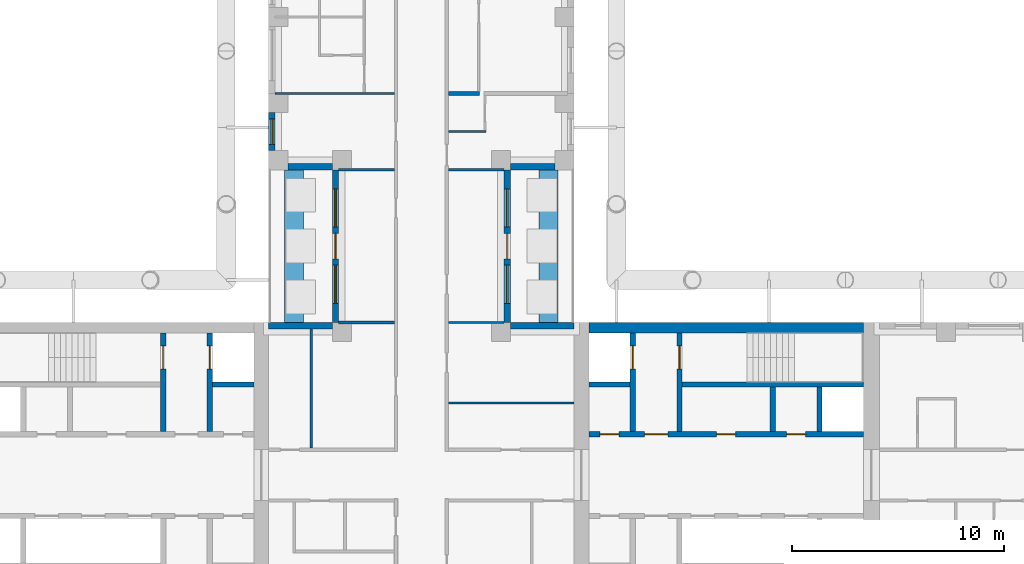
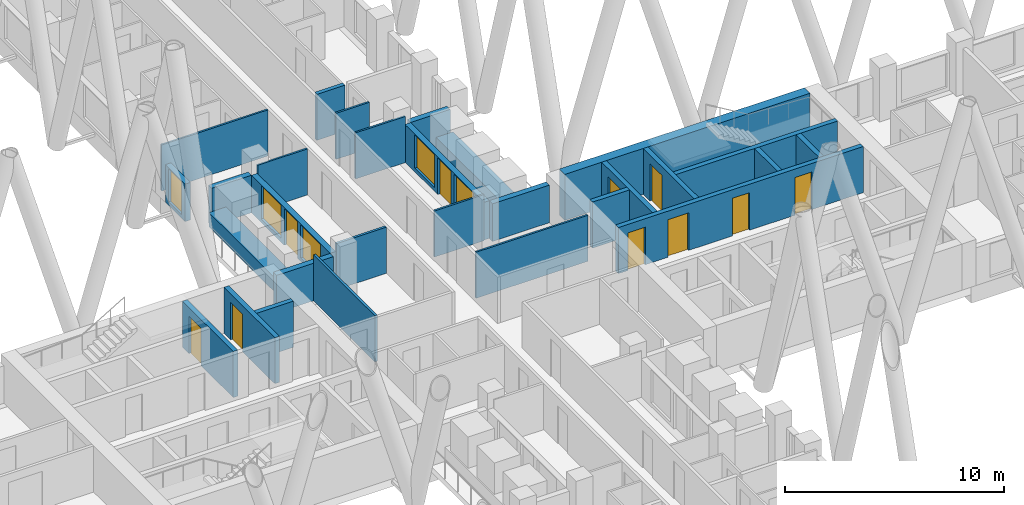
# One storey, part 9 of 17: 29 walls, 10 doors, 5 windows, 15 openings.
"""IFC4 building model written with IfcOpenShell, lengths in metres."""

from ifc_helpers import new_model, si_unit, direction, frame, frame_2d, origin, place, context, subcontext, project, spatial, rectangle, extrude, material, layer, layer_set, type_object, element, fill, save


model = new_model("IFC4")

# Units and contexts
model_context = context("Model", 3, precision=1e-05, world=origin(), true_north=direction((0.0, 1.0)))
body_context = subcontext(model_context, "Body", "Model", "MODEL_VIEW")
ifc_project = project(units=[si_unit("LENGTHUNIT", "METRE"), si_unit("AREAUNIT", "SQUARE_METRE"), si_unit("VOLUMEUNIT", "CUBIC_METRE"), si_unit("PLANEANGLEUNIT", "RADIAN"), si_unit("MASSUNIT", "GRAM", prefix="KILO")], contexts=[model_context])

# Site, building, storey
site_placement = place(None, origin())
site = spatial("IfcSite", under=ifc_project, at=site_placement, CompositionType="ELEMENT")
building_placement = place(site_placement, origin())
building = spatial("IfcBuilding", under=site, at=building_placement, Name="Fustian Cross Tower", CompositionType="ELEMENT")
storey_placement = place(building_placement, frame((0.0, 0.0, 32.699951171875)))
storey = spatial("IfcBuildingStorey", under=building, at=storey_placement, Name="L09", CompositionType="ELEMENT", Elevation=32.699951171875)

# Wall
ifc_material_1 = material(Name="Concrete C80/95", Category="concrete")
ifc_layer_1 = layer(ifc_material_1, 0.5)
ifc_layer_set_1 = layer_set([ifc_layer_1], Name="Concrete C80/95")
wall_type_1 = type_object("IfcWallType", Name="CORE FACADE WALL 500 C80/95", PredefinedType="SHEAR", material=ifc_layer_set_1)
wall_1_placement = place(storey_placement, frame((7.89990234375, 6.949951171875, 0.0), z_axis=(0.0, 0.0, 1.0), x_axis=(1.0, 0.0, 0.0)))
element("IfcWall", 1, at=wall_1_placement, inside=storey, type_object=wall_type_1, Name="Core facade wall", PredefinedType="SHEAR", context=body_context, shape_type="SweptSolid", body=[
    extrude(rectangle(XDim=12.9501953125, YDim=0.5, at=frame_2d((6.47509765625, 0.0))), origin(), (0.0, 0.0, 1.0), 2.574951171875),
])

# Wall, openings, doors
ifc_material_2 = material(Name="Concrete C50/60", Category="concrete")
ifc_layer_2 = layer(ifc_material_2, 0.25)
ifc_layer_set_2 = layer_set([ifc_layer_2], Name="Concrete C50/60")
wall_type_2 = type_object("IfcWallType", Name="CORE LOBBY WALL 250 C50/60", PredefinedType="SHEAR", material=ifc_layer_set_2)
wall_2_placement = place(storey_placement, frame((7.89990234375, 1.925048828125, 0.0), z_axis=(0.0, 0.0, 1.0), x_axis=(1.0, 0.0, 0.0)))
wall_2 = element("IfcWall", 2, at=wall_2_placement, inside=storey, type_object=wall_type_2, Name="Core lobby wall", PredefinedType="SHEAR", context=body_context, shape_type="SweptSolid", body=[
    extrude(rectangle(XDim=12.9501953125, YDim=0.25, at=frame_2d((6.47509765625, 0.0))), origin(), (0.0, 0.0, 1.0), 2.574951171875),
])
opening_1_placement = place(wall_2_placement, frame((0.52490234375, 0.0, 0.0)))
opening_1 = element("IfcOpeningElement", 3, at=opening_1_placement, cuts=wall_2, Name="Opening CD-06-08", PredefinedType="OPENING", context=body_context, shape_type="SweptSolid", body=[
    extrude(rectangle(XDim=0.89990234375, YDim=2.10009765625, at=frame_2d((0.449951171875, 1.050048828125))), frame((0.0, 0.135009765625, 0.0), z_axis=(0.0, -1.0, 0.0), x_axis=(1.0, 0.0, 0.0)), (0.0, 0.0, 1.0), 0.27001953125),
])
opening_2_placement = place(wall_2_placement, frame((2.625, 0.0, 0.0)))
opening_2 = element("IfcOpeningElement", 4, at=opening_2_placement, cuts=wall_2, Name="Opening CD-06-10", PredefinedType="OPENING", context=body_context, shape_type="SweptSolid", body=[
    extrude(rectangle(XDim=1.10009765625, YDim=2.10009765625, at=frame_2d((0.550048828125, 1.050048828125))), frame((0.0, 0.135009765625, 0.0), z_axis=(0.0, -1.0, 0.0), x_axis=(1.0, 0.0, 0.0)), (0.0, 0.0, 1.0), 0.27001953125),
])
opening_3_placement = place(wall_2_placement, frame((6.02490234375, 0.0, 0.0)))
opening_3 = element("IfcOpeningElement", 5, at=opening_3_placement, cuts=wall_2, Name="Opening CD-06-14", PredefinedType="OPENING", context=body_context, shape_type="SweptSolid", body=[
    extrude(rectangle(XDim=0.89990234375, YDim=2.10009765625, at=frame_2d((0.449951171875, 1.050048828125))), frame((0.0, 0.135009765625, 0.0), z_axis=(0.0, -1.0, 0.0), x_axis=(1.0, 0.0, 0.0)), (0.0, 0.0, 1.0), 0.27001953125),
])
opening_4_placement = place(wall_2_placement, frame((9.324951171875, 0.0, 0.0)))
opening_4 = element("IfcOpeningElement", 6, at=opening_4_placement, cuts=wall_2, Name="Opening CD-06-15", PredefinedType="OPENING", context=body_context, shape_type="SweptSolid", body=[
    extrude(rectangle(XDim=0.89990234375, YDim=2.10009765625, at=frame_2d((0.449951171875, 1.050048828125))), frame((0.0, 0.135009765625, 0.0), z_axis=(0.0, -1.0, 0.0), x_axis=(1.0, 0.0, 0.0)), (0.0, 0.0, 1.0), 0.27001953125),
])
ifc_material_3 = material(Name="Steel", Category="steel")
door_type_1 = type_object("IfcDoorType", Name="FIRE DOOR FD30S 900X2100", OperationType="SINGLE_SWING_LEFT", PredefinedType="DOOR", material=ifc_material_3)
door_1_placement = place(opening_3_placement, origin())
door_1 = element("IfcDoor", 7, at=door_1_placement, inside=storey, type_object=door_type_1, Name="Core door CD-06-14", OperationType="SINGLE_SWING_RIGHT", OverallHeight=2.10009765625, OverallWidth=0.89990234375, PredefinedType="DOOR", context=body_context, shape_type="SweptSolid", body=[
    extrude(rectangle(XDim=0.89990234375, YDim=2.10009765625, at=frame_2d((0.449951171875, 1.050048828125))), frame((0.0, 0.02490234375, 0.0), z_axis=(0.0, -1.0, 0.0), x_axis=(1.0, 0.0, 0.0)), (0.0, 0.0, 1.0), 0.050048828125),
])
fill(opening_3, door_1)
door_2_placement = place(opening_4_placement, origin())
door_2 = element("IfcDoor", 8, at=door_2_placement, inside=storey, type_object=door_type_1, Name="Core door CD-06-15", OperationType="SINGLE_SWING_LEFT", OverallHeight=2.10009765625, OverallWidth=0.89990234375, PredefinedType="DOOR", context=body_context, shape_type="SweptSolid", body=[
    extrude(rectangle(XDim=0.89990234375, YDim=2.10009765625, at=frame_2d((0.449951171875, 1.050048828125))), frame((0.0, 0.02490234375, 0.0), z_axis=(0.0, -1.0, 0.0), x_axis=(1.0, 0.0, 0.0)), (0.0, 0.0, 1.0), 0.050048828125),
])
fill(opening_4, door_2)
ifc_material_4 = material(Name="Steel", Category="steel")
door_type_2 = type_object("IfcDoorType", Name="FIRE DOOR FD60S 1100X2100", OperationType="SINGLE_SWING_LEFT", PredefinedType="DOOR", material=ifc_material_4)
door_3_placement = place(opening_2_placement, frame((1.10009765625, 0.0, 0.0), z_axis=(0.0, 0.0, 1.0), x_axis=(-1.0, 0.0, 0.0)))
door_3 = element("IfcDoor", 9, at=door_3_placement, inside=storey, type_object=door_type_2, Name="Core door CD-06-10", OperationType="SINGLE_SWING_RIGHT", OverallHeight=2.10009765625, OverallWidth=1.10009765625, PredefinedType="DOOR", context=body_context, shape_type="SweptSolid", body=[
    extrude(rectangle(XDim=1.10009765625, YDim=2.10009765625, at=frame_2d((0.550048828125, 1.050048828125))), frame((0.0, 0.02490234375, 0.0), z_axis=(0.0, -1.0, 0.0), x_axis=(1.0, 0.0, 0.0)), (0.0, 0.0, 1.0), 0.050048828125),
])
fill(opening_2, door_3)
ifc_material_5 = material(Name="Steel", Category="steel")
door_type_3 = type_object("IfcDoorType", Name="FIRE DOOR FD60S 900X2100", OperationType="SINGLE_SWING_LEFT", PredefinedType="DOOR", material=ifc_material_5)
door_4_placement = place(opening_1_placement, origin())
door_4 = element("IfcDoor", 10, at=door_4_placement, inside=storey, type_object=door_type_3, Name="Core door CD-06-08", OperationType="SINGLE_SWING_LEFT", OverallHeight=2.10009765625, OverallWidth=0.89990234375, PredefinedType="DOOR", context=body_context, shape_type="SweptSolid", body=[
    extrude(rectangle(XDim=0.89990234375, YDim=2.10009765625, at=frame_2d((0.449951171875, 1.050048828125))), frame((0.0, 0.02490234375, 0.0), z_axis=(0.0, -1.0, 0.0), x_axis=(1.0, 0.0, 0.0)), (0.0, 0.0, 1.0), 0.050048828125),
])
fill(opening_1, door_4)

# Walls
ifc_material_6 = material(Name="Concrete C50/60", Category="concrete")
ifc_layer_3 = layer(ifc_material_6, 0.25)
ifc_layer_set_3 = layer_set([ifc_layer_3], Name="Concrete C50/60")
wall_type_3 = type_object("IfcWallType", Name="CORE SHAFT WALL 250 C50/60", PredefinedType="SHEAR", material=ifc_layer_set_3)
wall_3_placement = place(storey_placement, frame((7.89990234375, 4.27490234375, 0.0), z_axis=(0.0, 0.0, 1.0), x_axis=(1.0, 0.0, 0.0)))
element("IfcWall", 11, at=wall_3_placement, inside=storey, type_object=wall_type_3, Name="Core shaft wall", PredefinedType="SHEAR", context=body_context, shape_type="SweptSolid", body=[
    extrude(rectangle(XDim=1.9501953125, YDim=0.25, at=frame_2d((0.97509765625, 0.0))), origin(), (0.0, 0.0, 1.0), 2.574951171875),
])
wall_4_placement = place(storey_placement, frame((12.300048828125, 4.27490234375, 0.0), z_axis=(0.0, 0.0, 1.0), x_axis=(1.0, 0.0, 0.0)))
element("IfcWall", 12, at=wall_4_placement, inside=storey, type_object=wall_type_3, Name="Core shaft wall", PredefinedType="SHEAR", context=body_context, shape_type="SweptSolid", body=[
    extrude(rectangle(XDim=8.550048828125, YDim=0.25, at=frame_2d((4.27490234375, 0.0))), origin(), (0.0, 0.0, 1.0), 2.574951171875),
])

# Wall, opening, door
wall_5_placement = place(storey_placement, frame((9.97509765625, 2.050048828125, 0.0), z_axis=(0.0, 0.0, 1.0), x_axis=(0.0, 1.0, 0.0)))
wall_5 = element("IfcWall", 13, at=wall_5_placement, inside=storey, type_object=wall_type_3, Name="Core shaft wall", PredefinedType="SHEAR", context=body_context, shape_type="SweptSolid", body=[
    extrude(rectangle(XDim=4.64990234375, YDim=0.25, at=frame_2d((2.324951171875, 0.0))), origin(), (0.0, 0.0, 1.0), 2.574951171875),
])
opening_5_placement = place(wall_5_placement, frame((2.949951171875, 0.0, 0.0)))
opening_5 = element("IfcOpeningElement", 14, at=opening_5_placement, cuts=wall_5, Name="Opening LD", PredefinedType="OPENING", context=body_context, shape_type="SweptSolid", body=[
    extrude(rectangle(XDim=1.10009765625, YDim=2.10009765625, at=frame_2d((0.550048828125, 1.050048828125))), frame((0.0, 0.135009765625, 0.0), z_axis=(0.0, -1.0, 0.0), x_axis=(1.0, 0.0, 0.0)), (0.0, 0.0, 1.0), 0.27001953125),
])
ifc_material_7 = material(Name="Stainless steel", Category="steel")
door_type_4 = type_object("IfcDoorType", Name="LIFT LANDING DOOR 1100X2100", OperationType="SLIDING_TO_LEFT", PredefinedType="DOOR", material=ifc_material_7)
door_5_placement = place(opening_5_placement, origin())
door_5 = element("IfcDoor", 15, at=door_5_placement, inside=storey, type_object=door_type_4, Name="Landing door FL1", OperationType="SLIDING_TO_LEFT", OverallHeight=2.10009765625, OverallWidth=1.10009765625, PredefinedType="DOOR", context=body_context, shape_type="SweptSolid", body=[
    extrude(rectangle(XDim=1.10009765625, YDim=2.10009765625, at=frame_2d((0.550048828125, 1.050048828125))), frame((0.0, 0.02490234375, 0.0), z_axis=(0.0, -1.0, 0.0), x_axis=(1.0, 0.0, 0.0)), (0.0, 0.0, 1.0), 0.050048828125),
])
fill(opening_5, door_5)

wall_6_placement = place(storey_placement, frame((12.175048828125, 2.050048828125, 0.0), z_axis=(0.0, 0.0, 1.0), x_axis=(0.0, 1.0, 0.0)))
wall_6 = element("IfcWall", 16, at=wall_6_placement, inside=storey, type_object=wall_type_3, Name="Core shaft wall", PredefinedType="SHEAR", context=body_context, shape_type="SweptSolid", body=[
    extrude(rectangle(XDim=4.64990234375, YDim=0.25, at=frame_2d((2.324951171875, 0.0))), origin(), (0.0, 0.0, 1.0), 2.574951171875),
])
opening_6_placement = place(wall_6_placement, frame((2.949951171875, 0.0, 0.0)))
opening_6 = element("IfcOpeningElement", 17, at=opening_6_placement, cuts=wall_6, Name="Opening CD-06-06", PredefinedType="OPENING", context=body_context, shape_type="SweptSolid", body=[
    extrude(rectangle(XDim=1.10009765625, YDim=2.10009765625, at=frame_2d((0.550048828125, 1.050048828125))), frame((0.0, 0.135009765625, 0.0), z_axis=(0.0, -1.0, 0.0), x_axis=(1.0, 0.0, 0.0)), (0.0, 0.0, 1.0), 0.27001953125),
])
door_6_placement = place(opening_6_placement, frame((1.10009765625, 0.0, 0.0), z_axis=(0.0, 0.0, 1.0), x_axis=(-1.0, 0.0, 0.0)))
door_6 = element("IfcDoor", 18, at=door_6_placement, inside=storey, type_object=door_type_2, Name="Core door CD-06-06", OperationType="SINGLE_SWING_RIGHT", OverallHeight=2.10009765625, OverallWidth=1.10009765625, PredefinedType="DOOR", context=body_context, shape_type="SweptSolid", body=[
    extrude(rectangle(XDim=1.10009765625, YDim=2.10009765625, at=frame_2d((0.550048828125, 1.050048828125))), frame((0.0, 0.02490234375, 0.0), z_axis=(0.0, -1.0, 0.0), x_axis=(1.0, 0.0, 0.0)), (0.0, 0.0, 1.0), 0.050048828125),
])
fill(opening_6, door_6)

# Wall
wall_7_placement = place(storey_placement, frame((-7.89990234375, 4.27490234375, 0.0), z_axis=(0.0, 0.0, 1.0), x_axis=(-1.0, 0.0, 0.0)))
element("IfcWall", 19, at=wall_7_placement, inside=storey, type_object=wall_type_3, Name="Core shaft wall", PredefinedType="SHEAR", context=body_context, shape_type="SweptSolid", body=[
    extrude(rectangle(XDim=1.9501953125, YDim=0.25, at=frame_2d((0.97509765625, 0.0))), origin(), (0.0, 0.0, 1.0), 2.574951171875),
])

# Wall, opening, door
wall_8_placement = place(storey_placement, frame((-9.97509765625, 2.050048828125, 0.0), z_axis=(0.0, 0.0, 1.0), x_axis=(0.0, 1.0, 0.0)))
wall_8 = element("IfcWall", 20, at=wall_8_placement, inside=storey, type_object=wall_type_3, Name="Core shaft wall", PredefinedType="SHEAR", context=body_context, shape_type="SweptSolid", body=[
    extrude(rectangle(XDim=4.64990234375, YDim=0.25, at=frame_2d((2.324951171875, 0.0))), origin(), (0.0, 0.0, 1.0), 2.574951171875),
])
opening_7_placement = place(wall_8_placement, frame((2.949951171875, 0.0, 0.0)))
opening_7 = element("IfcOpeningElement", 21, at=opening_7_placement, cuts=wall_8, Name="Opening LD", PredefinedType="OPENING", context=body_context, shape_type="SweptSolid", body=[
    extrude(rectangle(XDim=1.10009765625, YDim=2.10009765625, at=frame_2d((0.550048828125, 1.050048828125))), frame((0.0, 0.135009765625, 0.0), z_axis=(0.0, -1.0, 0.0), x_axis=(1.0, 0.0, 0.0)), (0.0, 0.0, 1.0), 0.27001953125),
])
door_7_placement = place(opening_7_placement, origin())
door_7 = element("IfcDoor", 22, at=door_7_placement, inside=storey, type_object=door_type_4, Name="Landing door FL1W", OperationType="SLIDING_TO_LEFT", OverallHeight=2.10009765625, OverallWidth=1.10009765625, PredefinedType="DOOR", context=body_context, shape_type="SweptSolid", body=[
    extrude(rectangle(XDim=1.10009765625, YDim=2.10009765625, at=frame_2d((0.550048828125, 1.050048828125))), frame((0.0, 0.02490234375, 0.0), z_axis=(0.0, -1.0, 0.0), x_axis=(1.0, 0.0, 0.0)), (0.0, 0.0, 1.0), 0.050048828125),
])
fill(opening_7, door_7)

wall_9_placement = place(storey_placement, frame((-12.175048828125, 2.050048828125, 0.0), z_axis=(0.0, 0.0, 1.0), x_axis=(0.0, 1.0, 0.0)))
wall_9 = element("IfcWall", 23, at=wall_9_placement, inside=storey, type_object=wall_type_3, Name="Core shaft wall", PredefinedType="SHEAR", context=body_context, shape_type="SweptSolid", body=[
    extrude(rectangle(XDim=4.64990234375, YDim=0.25, at=frame_2d((2.324951171875, 0.0))), origin(), (0.0, 0.0, 1.0), 2.574951171875),
])
opening_8_placement = place(wall_9_placement, frame((2.949951171875, 0.0, 0.0)))
opening_8 = element("IfcOpeningElement", 24, at=opening_8_placement, cuts=wall_9, Name="Opening CD-06-21", PredefinedType="OPENING", context=body_context, shape_type="SweptSolid", body=[
    extrude(rectangle(XDim=1.10009765625, YDim=2.10009765625, at=frame_2d((0.550048828125, 1.050048828125))), frame((0.0, 0.135009765625, 0.0), z_axis=(0.0, -1.0, 0.0), x_axis=(1.0, 0.0, 0.0)), (0.0, 0.0, 1.0), 0.27001953125),
])
door_8_placement = place(opening_8_placement, origin())
door_8 = element("IfcDoor", 25, at=door_8_placement, inside=storey, type_object=door_type_2, Name="Core door CD-06-21", OperationType="SINGLE_SWING_LEFT", OverallHeight=2.10009765625, OverallWidth=1.10009765625, PredefinedType="DOOR", context=body_context, shape_type="SweptSolid", body=[
    extrude(rectangle(XDim=1.10009765625, YDim=2.10009765625, at=frame_2d((0.550048828125, 1.050048828125))), frame((0.0, 0.02490234375, 0.0), z_axis=(0.0, -1.0, 0.0), x_axis=(1.0, 0.0, 0.0)), (0.0, 0.0, 1.0), 0.050048828125),
])
fill(opening_8, door_8)

# Walls
ifc_material_8 = material(Name="Plasterboard on steel stud", Category="steel")
ifc_layer_4 = layer(ifc_material_8, 0.10009765625)
ifc_layer_set_4 = layer_set([ifc_layer_4], Name="Plasterboard on steel stud")
wall_type_4 = type_object("IfcWallType", Name="PARTITION 100 STUD", PredefinedType="PARTITIONING", material=ifc_layer_set_4)
wall_10_placement = place(storey_placement, frame((-6.89990234375, 18.0, 0.0), z_axis=(0.0, 0.0, 1.0), x_axis=(1.0, 0.0, 0.0)))
element("IfcWall", 26, at=wall_10_placement, inside=storey, type_object=wall_type_4, Name="Partition 14", PredefinedType="PARTITIONING", context=body_context, shape_type="SweptSolid", body=[
    extrude(rectangle(XDim=5.625, YDim=0.10009765625, at=frame_2d((2.8125, 0.0))), origin(), (0.0, 0.0, 1.0), 2.574951171875),
])
wall_11_placement = place(storey_placement, frame((-3.89990234375, 14.39990234375, 0.0), z_axis=(0.0, 0.0, 1.0), x_axis=(1.0, 0.0, 0.0)))
element("IfcWall", 27, at=wall_11_placement, inside=storey, type_object=wall_type_4, Name="Partition 38", PredefinedType="PARTITIONING", context=body_context, shape_type="SweptSolid", body=[
    extrude(rectangle(XDim=2.625, YDim=0.10009765625, at=frame_2d((1.3125, 0.0))), origin(), (0.0, 0.0, 1.0), 2.574951171875),
])
wall_12_placement = place(storey_placement, frame((1.27490234375, 3.39990234375, 0.0), z_axis=(0.0, 0.0, 1.0), x_axis=(1.0, 0.0, 0.0)))
element("IfcWall", 28, at=wall_12_placement, inside=storey, type_object=wall_type_4, Name="Partition 56", PredefinedType="PARTITIONING", context=body_context, shape_type="SweptSolid", body=[
    extrude(rectangle(XDim=5.925048828125, YDim=0.10009765625, at=frame_2d((2.96240234375, 0.0))), origin(), (0.0, 0.0, 1.0), 2.574951171875),
])
for number, where, z_axis, x_axis, name in (
    (29, (1.27490234375, 7.199951171875, 0.0), (0.0, 0.0, 1.0), (1.0, 0.0, 0.0), "Partition 57"),
    (30, (1.27490234375, 14.39990234375, 0.0), (0.0, 0.0, 1.0), (1.0, 0.0, 0.0), "Partition 58"),
):
    element("IfcWall", number, at=place(storey_placement, frame(where, z_axis=z_axis, x_axis=x_axis)), inside=storey, type_object=wall_type_4, Name=name, PredefinedType="PARTITIONING", context=body_context, shape_type="SweptSolid", body=[
        extrude(rectangle(XDim=2.625, YDim=0.10009765625, at=frame_2d((1.3125, 0.0))), origin(), (0.0, 0.0, 1.0), 2.574951171875),
    ])
wall_13_placement = place(storey_placement, frame((1.27490234375, 16.199951171875, 0.0), z_axis=(0.0, 0.0, 1.0), x_axis=(1.0, 0.0, 0.0)))
element("IfcWall", 31, at=wall_13_placement, inside=storey, type_object=wall_type_4, Name="Partition 59", PredefinedType="PARTITIONING", context=body_context, shape_type="SweptSolid", body=[
    extrude(rectangle(XDim=1.775146484375, YDim=0.10009765625, at=frame_2d((0.8876953125, 0.0))), origin(), (0.0, 0.0, 1.0), 2.574951171875),
])
ifc_material_9 = material(Name="Plasterboard on steel stud", Category="steel")
ifc_layer_5 = layer(ifc_material_9, 0.199951171875)
ifc_layer_set_5 = layer_set([ifc_layer_5], Name="Plasterboard on steel stud")
wall_type_5 = type_object("IfcWallType", Name="PARTY WALL 200 EI 60", PredefinedType="PARTITIONING", material=ifc_layer_set_5)
wall_14_placement = place(storey_placement, frame((1.27490234375, 18.0, 0.0), z_axis=(0.0, 0.0, 1.0), x_axis=(1.0, 0.0, 0.0)))
element("IfcWall", 32, at=wall_14_placement, inside=storey, type_object=wall_type_5, Name="Partition 60", PredefinedType="PARTITIONING", context=body_context, shape_type="SweptSolid", body=[
    extrude(rectangle(XDim=1.47509765625, YDim=0.199951171875, at=frame_2d((0.737548828125, 0.0))), origin(), (0.0, 0.0, 1.0), 2.574951171875),
])
ifc_material_10 = material(Name="Concrete C40/50", Category="concrete")
ifc_layer_6 = layer(ifc_material_10, 0.89990234375)
ifc_layer_set_6 = layer_set([ifc_layer_6], Name="Concrete C40/50")
wall_type_6 = type_object("IfcWallType", Name="PK1 PLANTER 900", PredefinedType="PARAPET", material=ifc_layer_set_6)
for number, where, z_axis, x_axis, name in (
    (33, (6.0, 7.199951171875, 0.0), (0.0, 0.0, 1.0), (0.0, 1.0, 0.0), "PLANTER"),
    (34, (-6.0, 7.199951171875, 0.0), (0.0, 0.0, 1.0), (0.0, 1.0, 0.0), "PLANTER"),
):
    element("IfcWall", number, at=place(storey_placement, frame(where, z_axis=z_axis, x_axis=x_axis)), inside=storey, type_object=wall_type_6, Name=name, PredefinedType="PARAPET", context=body_context, shape_type="SweptSolid", body=[
        extrude(rectangle(XDim=7.199951171875, YDim=0.89990234375, at=frame_2d((3.60009765625, 0.0))), origin(), (0.0, 0.0, 1.0), 0.800048828125),
    ])
ifc_material_11 = material(Name="Concrete C40/50", Category="concrete")
ifc_layer_7 = layer(ifc_material_11, 0.25)
ifc_layer_set_7 = layer_set([ifc_layer_7], Name="Concrete C40/50")
wall_type_7 = type_object("IfcWallType", Name="SHAFT PARTITION WALL 250 C40/50", PredefinedType="PARTITIONING", material=ifc_layer_set_7)
for number, where, z_axis, x_axis, name in (
    (35, (16.574951171875, 2.050048828125, 0.0), (0.0, 0.0, 1.0), (0.0, 1.0, 0.0), "Core shaft wall"),
    (36, (18.77490234375, 2.050048828125, 0.0), (0.0, 0.0, 1.0), (0.0, 1.0, 0.0), "Core shaft wall"),
):
    element("IfcWall", number, at=place(storey_placement, frame(where, z_axis=z_axis, x_axis=x_axis)), inside=storey, type_object=wall_type_7, Name=name, PredefinedType="PARTITIONING", context=body_context, shape_type="SweptSolid", body=[
        extrude(rectangle(XDim=2.099853515625, YDim=0.25, at=frame_2d((1.0498046875, 0.0))), origin(), (0.0, 0.0, 1.0), 2.574951171875),
    ])
ifc_material_12 = material(Name="Plasterboard on steel stud", Category="steel")
ifc_layer_8 = layer(ifc_material_12, 0.125)
ifc_layer_set_8 = layer_set([ifc_layer_8], Name="Plasterboard on steel stud")
wall_type_8 = type_object("IfcWallType", Name="WET WALL 125 STUD", PredefinedType="PARTITIONING", material=ifc_layer_set_8)
wall_15_placement = place(storey_placement, frame((-5.199951171875, 1.27490234375, 0.0), z_axis=(0.0, 0.0, 1.0), x_axis=(0.0, 1.0, 0.0)))
element("IfcWall", 37, at=wall_15_placement, inside=storey, type_object=wall_type_8, Name="Partition 23", PredefinedType="PARTITIONING", context=body_context, shape_type="SweptSolid", body=[
    extrude(rectangle(XDim=5.625, YDim=0.125, at=frame_2d((2.8125, 0.0))), origin(), (0.0, 0.0, 1.0), 2.574951171875),
])
wall_16_placement = place(storey_placement, frame((-3.89990234375, 7.199951171875, 0.0), z_axis=(0.0, 0.0, 1.0), x_axis=(1.0, 0.0, 0.0)))
element("IfcWall", 38, at=wall_16_placement, inside=storey, type_object=wall_type_8, Name="Partition 37", PredefinedType="PARTITIONING", context=body_context, shape_type="SweptSolid", body=[
    extrude(rectangle(XDim=2.625, YDim=0.125, at=frame_2d((1.3125, 0.0))), origin(), (0.0, 0.0, 1.0), 2.574951171875),
])
ifc_material_13 = material(Name="Dark aluminium cladding on insulated backing wall", Category="aluminium")
ifc_layer_9 = layer(ifc_material_13, 0.300048828125)
ifc_layer_set_9 = layer_set([ifc_layer_9], Name="Dark aluminium cladding on insulated backing wall")
wall_type_9 = type_object("IfcWallType", Name="XW1 EXTERNAL WALL 300", PredefinedType="SOLIDWALL", material=ifc_layer_set_9)
wall_17_placement = place(storey_placement, frame((7.199951171875, 7.050048828125, 0.0), z_axis=(0.0, 0.0, 1.0), x_axis=(-1.0, 0.0, 0.0)))
element("IfcWall", 39, at=wall_17_placement, inside=storey, type_object=wall_type_9, Name="External wall", PredefinedType="SOLIDWALL", context=body_context, shape_type="SweptSolid", body=[
    extrude(rectangle(XDim=3.0, YDim=0.300048828125, at=frame_2d((1.5, 0.0))), origin(), (0.0, 0.0, 1.0), 2.10009765625),
])

# Wall, openings, door, windows
wall_18_placement = place(storey_placement, frame((4.050048828125, 7.199951171875, 0.0), z_axis=(0.0, 0.0, 1.0), x_axis=(0.0, 1.0, 0.0)))
wall_18 = element("IfcWall", 40, at=wall_18_placement, inside=storey, type_object=wall_type_9, Name="External wall", PredefinedType="SOLIDWALL", context=body_context, shape_type="SweptSolid", body=[
    extrude(rectangle(XDim=7.199951171875, YDim=0.300048828125, at=frame_2d((3.60009765625, 0.0))), origin(), (0.0, 0.0, 1.0), 2.10009765625),
])
opening_9_placement = place(wall_18_placement, frame((3.0, 0.0, 0.0)))
opening_9 = element("IfcOpeningElement", 41, at=opening_9_placement, cuts=wall_18, Name="Opening XD1", PredefinedType="OPENING", context=body_context, shape_type="SweptSolid", body=[
    extrude(rectangle(XDim=1.199951171875, YDim=2.050048828125, at=frame_2d((0.60009765625, 1.02490234375))), frame((0.0, 0.159912109375, 0.0), z_axis=(0.0, -1.0, 0.0), x_axis=(1.0, 0.0, 0.0)), (0.0, 0.0, 1.0), 0.320068359375),
])
opening_10_placement = place(wall_18_placement, frame((0.89990234375, 0.0, 0.199951171875)))
opening_10 = element("IfcOpeningElement", 42, at=opening_10_placement, cuts=wall_18, Name="Opening WN2", PredefinedType="OPENING", context=body_context, shape_type="SweptSolid", body=[
    extrude(rectangle(XDim=1.800048828125, YDim=1.85009765625, at=frame_2d((0.89990234375, 0.925048828125))), frame((0.0, 0.159912109375, 0.0), z_axis=(0.0, -1.0, 0.0), x_axis=(1.0, 0.0, 0.0)), (0.0, 0.0, 1.0), 0.320068359375),
])
opening_11_placement = place(wall_18_placement, frame((4.5, 0.0, 0.199951171875)))
opening_11 = element("IfcOpeningElement", 43, at=opening_11_placement, cuts=wall_18, Name="Opening WN2", PredefinedType="OPENING", context=body_context, shape_type="SweptSolid", body=[
    extrude(rectangle(XDim=1.800048828125, YDim=1.85009765625, at=frame_2d((0.89990234375, 0.925048828125))), frame((0.0, 0.159912109375, 0.0), z_axis=(0.0, -1.0, 0.0), x_axis=(1.0, 0.0, 0.0)), (0.0, 0.0, 1.0), 0.320068359375),
])
ifc_material_14 = material(Name="Dark anodised aluminium and double glazing", Category="aluminium")
door_type_5 = type_object("IfcDoorType", Name="ED1 BALCONY DOOR 1200X2050", OperationType="SINGLE_SWING_LEFT", PredefinedType="DOOR", material=ifc_material_14)
door_9_placement = place(opening_9_placement, origin())
door_9 = element("IfcDoor", 44, at=door_9_placement, inside=storey, type_object=door_type_5, Name="Balcony door", OperationType="SINGLE_SWING_LEFT", OverallHeight=2.050048828125, OverallWidth=1.199951171875, PredefinedType="DOOR", context=body_context, shape_type="SweptSolid", body=[
    extrude(rectangle(XDim=1.199951171875, YDim=2.050048828125, at=frame_2d((0.60009765625, 1.02490234375))), frame((0.0, 0.02490234375, 0.0), z_axis=(0.0, -1.0, 0.0), x_axis=(1.0, 0.0, 0.0)), (0.0, 0.0, 1.0), 0.050048828125),
])
fill(opening_9, door_9)
ifc_material_15 = material(Name="Dark anodised aluminium and double glazing", Category="aluminium")
window_type_1 = type_object("IfcWindowType", Name="WN2 WINDOW 1800X1850", PartitioningType="SINGLE_PANEL", PredefinedType="WINDOW", material=ifc_material_15)
window_1_placement = place(opening_10_placement, origin())
window_1 = element("IfcWindow", 45, at=window_1_placement, inside=storey, type_object=window_type_1, Name="Window", OverallHeight=1.85009765625, OverallWidth=1.800048828125, PartitioningType="SINGLE_PANEL", PredefinedType="WINDOW", context=body_context, shape_type="SweptSolid", body=[
    extrude(rectangle(XDim=1.800048828125, YDim=1.85009765625, at=frame_2d((0.89990234375, 0.925048828125))), frame((0.0, 0.030029296875, 0.0), z_axis=(0.0, -1.0, 0.0), x_axis=(1.0, 0.0, 0.0)), (0.0, 0.0, 1.0), 0.06005859375),
])
fill(opening_10, window_1)
window_2_placement = place(opening_11_placement, origin())
window_2 = element("IfcWindow", 46, at=window_2_placement, inside=storey, type_object=window_type_1, Name="Window", OverallHeight=1.85009765625, OverallWidth=1.800048828125, PartitioningType="SINGLE_PANEL", PredefinedType="WINDOW", context=body_context, shape_type="SweptSolid", body=[
    extrude(rectangle(XDim=1.800048828125, YDim=1.85009765625, at=frame_2d((0.89990234375, 0.925048828125))), frame((0.0, 0.030029296875, 0.0), z_axis=(0.0, -1.0, 0.0), x_axis=(1.0, 0.0, 0.0)), (0.0, 0.0, 1.0), 0.06005859375),
])
fill(opening_11, window_2)

# Wall
wall_19_placement = place(storey_placement, frame((4.199951171875, 14.550048828125, 0.0), z_axis=(0.0, 0.0, 1.0), x_axis=(1.0, 0.0, 0.0)))
element("IfcWall", 47, at=wall_19_placement, inside=storey, type_object=wall_type_9, Name="External wall", PredefinedType="SOLIDWALL", context=body_context, shape_type="SweptSolid", body=[
    extrude(rectangle(XDim=2.10009765625, YDim=0.300048828125, at=frame_2d((1.050048828125, 0.0))), origin(), (0.0, 0.0, 1.0), 2.10009765625),
])

# Wall, opening, window
wall_20_placement = place(storey_placement, frame((-7.050048828125, 17.10009765625, 0.0), z_axis=(0.0, 0.0, 1.0), x_axis=(0.0, -1.0, 0.0)))
wall_20 = element("IfcWall", 48, at=wall_20_placement, inside=storey, type_object=wall_type_9, Name="External wall", PredefinedType="SOLIDWALL", context=body_context, shape_type="SweptSolid", body=[
    extrude(rectangle(XDim=1.800048828125, YDim=0.300048828125, at=frame_2d((0.89990234375, 0.0))), origin(), (0.0, 0.0, 1.0), 2.10009765625),
])
opening_12_placement = place(wall_20_placement, frame((0.300048828125, 0.0, 0.199951171875)))
opening_12 = element("IfcOpeningElement", 49, at=opening_12_placement, cuts=wall_20, Name="Opening WN3", PredefinedType="OPENING", context=body_context, shape_type="SweptSolid", body=[
    extrude(rectangle(XDim=1.199951171875, YDim=1.85009765625, at=frame_2d((0.60009765625, 0.925048828125))), frame((0.0, 0.159912109375, 0.0), z_axis=(0.0, -1.0, 0.0), x_axis=(1.0, 0.0, 0.0)), (0.0, 0.0, 1.0), 0.320068359375),
])
ifc_material_16 = material(Name="Dark anodised aluminium and double glazing", Category="aluminium")
window_type_2 = type_object("IfcWindowType", Name="WN3 WINDOW 1200X1850", PartitioningType="SINGLE_PANEL", PredefinedType="WINDOW", material=ifc_material_16)
window_3_placement = place(opening_12_placement, origin())
window_3 = element("IfcWindow", 50, at=window_3_placement, inside=storey, type_object=window_type_2, Name="Window", OverallHeight=1.85009765625, OverallWidth=1.199951171875, PartitioningType="SINGLE_PANEL", PredefinedType="WINDOW", context=body_context, shape_type="SweptSolid", body=[
    extrude(rectangle(XDim=1.199951171875, YDim=1.85009765625, at=frame_2d((0.60009765625, 0.925048828125))), frame((0.0, 0.030029296875, 0.0), z_axis=(0.0, -1.0, 0.0), x_axis=(1.0, 0.0, 0.0)), (0.0, 0.0, 1.0), 0.06005859375),
])
fill(opening_12, window_3)

# Wall
wall_21_placement = place(storey_placement, frame((-6.300048828125, 14.550048828125, 0.0), z_axis=(0.0, 0.0, 1.0), x_axis=(1.0, 0.0, 0.0)))
element("IfcWall", 51, at=wall_21_placement, inside=storey, type_object=wall_type_9, Name="External wall", PredefinedType="SOLIDWALL", context=body_context, shape_type="SweptSolid", body=[
    extrude(rectangle(XDim=2.10009765625, YDim=0.300048828125, at=frame_2d((1.050048828125, 0.0))), origin(), (0.0, 0.0, 1.0), 2.10009765625),
])

# Wall, openings, door, windows
wall_22_placement = place(storey_placement, frame((-4.050048828125, 14.39990234375, 0.0), z_axis=(0.0, 0.0, 1.0), x_axis=(0.0, -1.0, 0.0)))
wall_22 = element("IfcWall", 52, at=wall_22_placement, inside=storey, type_object=wall_type_9, Name="External wall", PredefinedType="SOLIDWALL", context=body_context, shape_type="SweptSolid", body=[
    extrude(rectangle(XDim=7.199951171875, YDim=0.300048828125, at=frame_2d((3.60009765625, 0.0))), origin(), (0.0, 0.0, 1.0), 2.10009765625),
])
opening_13_placement = place(wall_22_placement, frame((3.0, 0.0, 0.0)))
opening_13 = element("IfcOpeningElement", 53, at=opening_13_placement, cuts=wall_22, Name="Opening XD2", PredefinedType="OPENING", context=body_context, shape_type="SweptSolid", body=[
    extrude(rectangle(XDim=1.199951171875, YDim=2.050048828125, at=frame_2d((0.60009765625, 1.02490234375))), frame((0.0, 0.159912109375, 0.0), z_axis=(0.0, -1.0, 0.0), x_axis=(1.0, 0.0, 0.0)), (0.0, 0.0, 1.0), 0.320068359375),
])
opening_14_placement = place(wall_22_placement, frame((0.89990234375, 0.0, 0.199951171875)))
opening_14 = element("IfcOpeningElement", 54, at=opening_14_placement, cuts=wall_22, Name="Opening WN2", PredefinedType="OPENING", context=body_context, shape_type="SweptSolid", body=[
    extrude(rectangle(XDim=1.800048828125, YDim=1.85009765625, at=frame_2d((0.89990234375, 0.925048828125))), frame((0.0, 0.159912109375, 0.0), z_axis=(0.0, -1.0, 0.0), x_axis=(1.0, 0.0, 0.0)), (0.0, 0.0, 1.0), 0.320068359375),
])
opening_15_placement = place(wall_22_placement, frame((4.5, 0.0, 0.199951171875)))
opening_15 = element("IfcOpeningElement", 55, at=opening_15_placement, cuts=wall_22, Name="Opening WN2", PredefinedType="OPENING", context=body_context, shape_type="SweptSolid", body=[
    extrude(rectangle(XDim=1.800048828125, YDim=1.85009765625, at=frame_2d((0.89990234375, 0.925048828125))), frame((0.0, 0.159912109375, 0.0), z_axis=(0.0, -1.0, 0.0), x_axis=(1.0, 0.0, 0.0)), (0.0, 0.0, 1.0), 0.320068359375),
])
door_10_placement = place(opening_13_placement, origin())
door_10 = element("IfcDoor", 56, at=door_10_placement, inside=storey, type_object=door_type_5, Name="Balcony door", OperationType="SINGLE_SWING_LEFT", OverallHeight=2.050048828125, OverallWidth=1.199951171875, PredefinedType="DOOR", context=body_context, shape_type="SweptSolid", body=[
    extrude(rectangle(XDim=1.199951171875, YDim=2.050048828125, at=frame_2d((0.60009765625, 1.02490234375))), frame((0.0, 0.02490234375, 0.0), z_axis=(0.0, -1.0, 0.0), x_axis=(1.0, 0.0, 0.0)), (0.0, 0.0, 1.0), 0.050048828125),
])
fill(opening_13, door_10)
window_4_placement = place(opening_14_placement, origin())
window_4 = element("IfcWindow", 57, at=window_4_placement, inside=storey, type_object=window_type_1, Name="Window", OverallHeight=1.85009765625, OverallWidth=1.800048828125, PartitioningType="SINGLE_PANEL", PredefinedType="WINDOW", context=body_context, shape_type="SweptSolid", body=[
    extrude(rectangle(XDim=1.800048828125, YDim=1.85009765625, at=frame_2d((0.89990234375, 0.925048828125))), frame((0.0, 0.030029296875, 0.0), z_axis=(0.0, -1.0, 0.0), x_axis=(1.0, 0.0, 0.0)), (0.0, 0.0, 1.0), 0.06005859375),
])
fill(opening_14, window_4)
window_5_placement = place(opening_15_placement, origin())
window_5 = element("IfcWindow", 58, at=window_5_placement, inside=storey, type_object=window_type_1, Name="Window", OverallHeight=1.85009765625, OverallWidth=1.800048828125, PartitioningType="SINGLE_PANEL", PredefinedType="WINDOW", context=body_context, shape_type="SweptSolid", body=[
    extrude(rectangle(XDim=1.800048828125, YDim=1.85009765625, at=frame_2d((0.89990234375, 0.925048828125))), frame((0.0, 0.030029296875, 0.0), z_axis=(0.0, -1.0, 0.0), x_axis=(1.0, 0.0, 0.0)), (0.0, 0.0, 1.0), 0.06005859375),
])
fill(opening_15, window_5)

# Wall
wall_23_placement = place(storey_placement, frame((-4.199951171875, 7.050048828125, 0.0), z_axis=(0.0, 0.0, 1.0), x_axis=(-1.0, 0.0, 0.0)))
element("IfcWall", 59, at=wall_23_placement, inside=storey, type_object=wall_type_9, Name="External wall", PredefinedType="SOLIDWALL", context=body_context, shape_type="SweptSolid", body=[
    extrude(rectangle(XDim=3.0, YDim=0.300048828125, at=frame_2d((1.5, 0.0))), origin(), (0.0, 0.0, 1.0), 2.10009765625),
])

save(model, "model.ifc")
